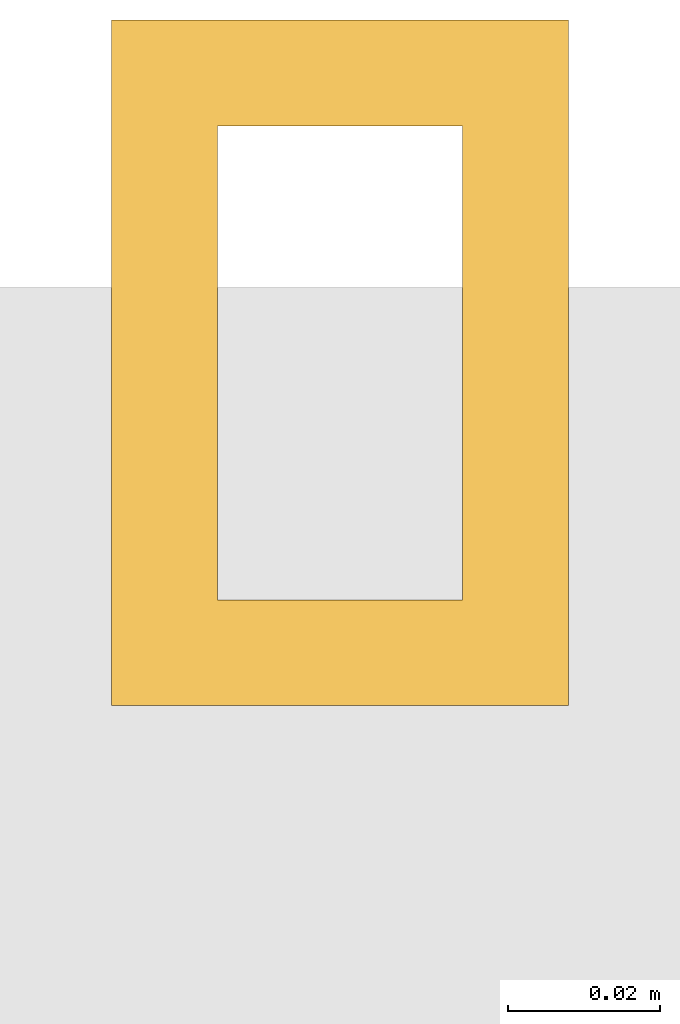
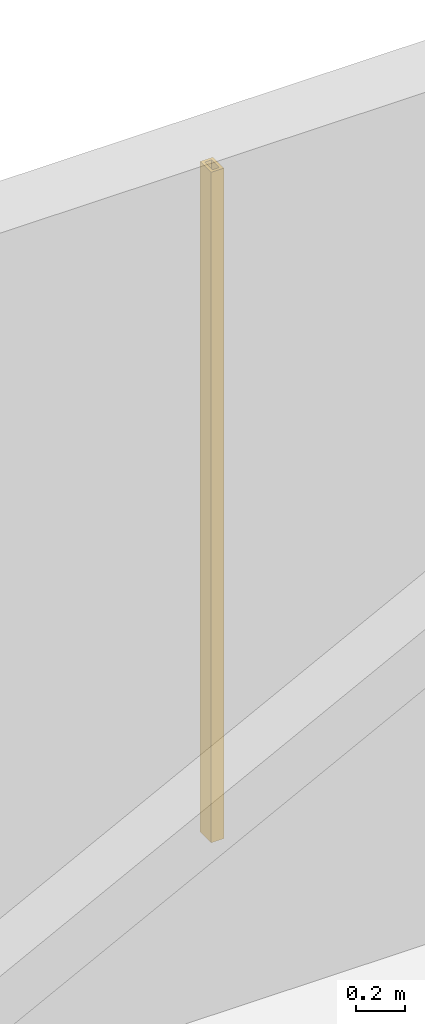
# One storey, part 33 of 33: 1 shading device.
"""IFC4 building model written with IfcOpenShell, lengths in metres."""

from ifc_helpers import new_model, si_unit, direction, frame, origin, origin_2d, place, context, subcontext, project, spatial, hollow_rectangle, extrude, material, material_profile, profile_set, type_object, element, save


model = new_model("IFC4")

# Units and contexts
model_context = context("Model", 3, precision=1e-05, world=origin(), true_north=direction((0.0, 1.0)))
body_context = subcontext(model_context, "Body", "Model", "MODEL_VIEW")
ifc_project = project(units=[si_unit("LENGTHUNIT", "METRE"), si_unit("AREAUNIT", "SQUARE_METRE"), si_unit("VOLUMEUNIT", "CUBIC_METRE"), si_unit("PLANEANGLEUNIT", "RADIAN"), si_unit("MASSUNIT", "GRAM", prefix="KILO")], contexts=[model_context])

# Site, building, storey
site_placement = place(None, origin())
site = spatial("IfcSite", under=ifc_project, at=site_placement, CompositionType="ELEMENT")
building_placement = place(site_placement, origin())
building = spatial("IfcBuilding", under=site, at=building_placement, Name="Punatoya Terracotta Tower", CompositionType="ELEMENT")
storey_placement = place(building_placement, frame((0.0, 0.0, 348.300048828125)))
storey = spatial("IfcBuildingStorey", under=building, at=storey_placement, Name="L82", CompositionType="ELEMENT", Elevation=348.300048828125)

# Shading device
ifc_material = material(Name="Architectural Fired Terracotta", Category="masonry")
ifc_material_profile = material_profile(ifc_material, hollow_rectangle(XDim=0.06005859375, YDim=0.090087890625, WallThickness=0.013916015625, at=origin_2d()))
ifc_profile_set = profile_set([ifc_material_profile], Name="Architectural Fired Terracotta")
shading_device_type = type_object("IfcShadingDeviceType", Name="SHD-JALI-90", PredefinedType="JALOUSIE", material=ifc_profile_set)
shading_device_placement = place(storey_placement, frame((0.0, 18.60009765625, 0.599853515625), z_axis=(0.0, 0.0, 1.0), x_axis=(1.0, 0.0, 0.0)))
element("IfcShadingDevice", 1, at=shading_device_placement, inside=storey, type_object=shading_device_type, Name="L82 Braced Bay Terracotta Jali Fin N1", PredefinedType="JALOUSIE", context=body_context, shape_type="SweptSolid", body=[
    extrude(hollow_rectangle(XDim=0.06005859375, YDim=0.090087890625, WallThickness=0.013916015625, at=origin_2d()), origin(), (0.0, 0.0, 1.0), 3.320068359375),
])

save(model, "model.ifc")
